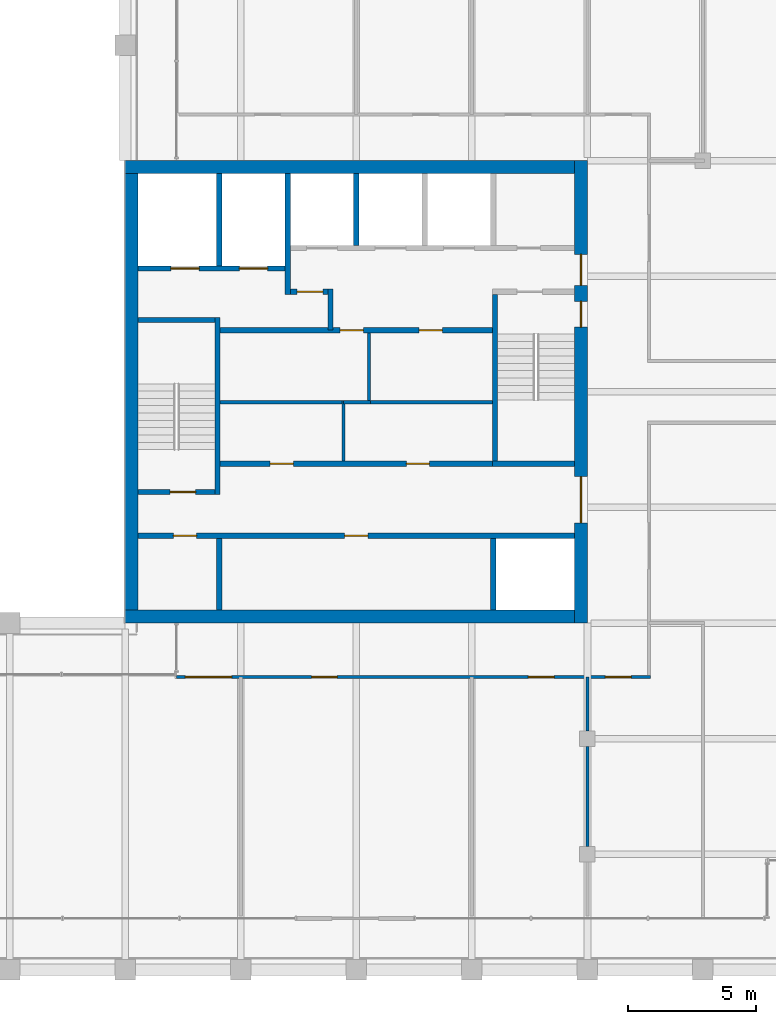
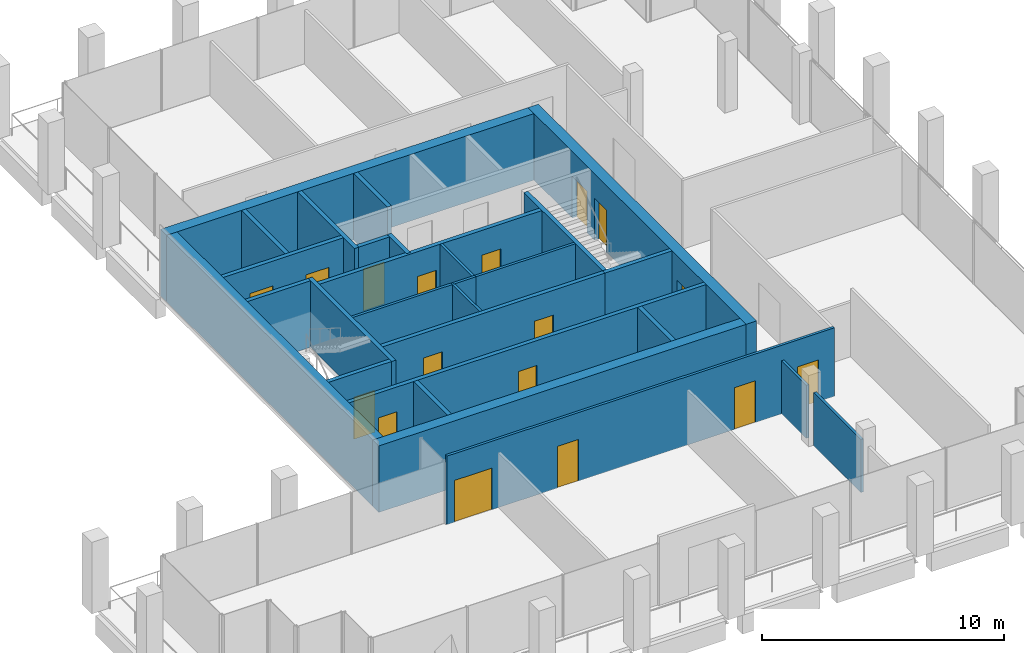
# One storey, part 28 of 30: 28 walls, 17 doors, 17 openings.
"""IFC4 building model written with IfcOpenShell, lengths in metres."""

from ifc_helpers import new_model, si_unit, direction, frame, frame_2d, origin, place, context, subcontext, project, spatial, rectangle, extrude, material, layer, layer_set, type_object, element, fill, save


model = new_model("IFC4")

# Units and contexts
model_context = context("Model", 3, precision=1e-05, world=origin(), true_north=direction((0.0, 1.0)))
body_context = subcontext(model_context, "Body", "Model", "MODEL_VIEW")
ifc_project = project(units=[si_unit("LENGTHUNIT", "METRE"), si_unit("AREAUNIT", "SQUARE_METRE"), si_unit("VOLUMEUNIT", "CUBIC_METRE"), si_unit("PLANEANGLEUNIT", "RADIAN"), si_unit("MASSUNIT", "GRAM", prefix="KILO")], contexts=[model_context])

# Site, building, storey
site_placement = place(None, origin())
site = spatial("IfcSite", under=ifc_project, at=site_placement, CompositionType="ELEMENT")
building_placement = place(site_placement, origin())
building = spatial("IfcBuilding", under=site, at=building_placement, Name="Altepetl Exchange Towers", CompositionType="ELEMENT")
storey_placement = place(building_placement, frame((0.0, 0.0, 217.199951171875)))
storey = spatial("IfcBuildingStorey", under=building, at=storey_placement, Name="L55", CompositionType="ELEMENT", Elevation=217.199951171875)

# Wall, openings, doors
ifc_material_1 = material(Name="Concrete C70/85", Category="concrete")
ifc_layer_1 = layer(ifc_material_1, 0.5)
ifc_layer_set_1 = layer_set([ifc_layer_1], Name="Concrete C70/85")
wall_type_1 = type_object("IfcWallType", Name="Core wall 500 reinforced concrete", PredefinedType="SHEAR", material=ifc_layer_set_1)
wall_1_placement = place(storey_placement, frame((58.25, 40.5, 0.0), z_axis=(0.0, 0.0, 1.0), x_axis=(0.0, 1.0, 0.0)))
wall_1 = element("IfcWall", 1, at=wall_1_placement, inside=storey, type_object=wall_type_1, Name="wall:A:L55:K-coreE", PredefinedType="SHEAR", context=body_context, shape_type="SweptSolid", body=[
    extrude(rectangle(XDim=18.0, YDim=0.5, at=frame_2d((9.0, 0.0))), origin(), (0.0, 0.0, 1.0), 3.35009765625),
])
opening_1_placement = place(wall_1_placement, frame((13.14990234375, 0.0, 0.0)))
opening_1 = element("IfcOpeningElement", 2, at=opening_1_placement, cuts=wall_1, Name="Opening L55.A60", PredefinedType="OPENING", context=body_context, shape_type="SweptSolid", body=[
    extrude(rectangle(XDim=1.199951171875, YDim=2.10009765625, at=frame_2d((0.60009765625, 1.050048828125))), frame((0.0, 0.260009765625, 0.0), z_axis=(0.0, -1.0, 0.0), x_axis=(1.0, 0.0, 0.0)), (0.0, 0.0, 1.0), 0.52001953125),
])
opening_2_placement = place(wall_1_placement, frame((3.89990234375, 0.0, 0.0)))
opening_2 = element("IfcOpeningElement", 3, at=opening_2_placement, cuts=wall_1, Name="Opening L55.A61", PredefinedType="OPENING", context=body_context, shape_type="SweptSolid", body=[
    extrude(rectangle(XDim=1.800048828125, YDim=2.10009765625, at=frame_2d((0.89990234375, 1.050048828125))), frame((0.0, 0.260009765625, 0.0), z_axis=(0.0, -1.0, 0.0), x_axis=(1.0, 0.0, 0.0)), (0.0, 0.0, 1.0), 0.52001953125),
])
opening_3_placement = place(wall_1_placement, frame((11.52490234375, 0.0, 0.0)))
opening_3 = element("IfcOpeningElement", 4, at=opening_3_placement, cuts=wall_1, Name="Opening L55.A64", PredefinedType="OPENING", context=body_context, shape_type="SweptSolid", body=[
    extrude(rectangle(XDim=1.0, YDim=2.10009765625, at=frame_2d((0.5, 1.050048828125))), frame((0.0, 0.260009765625, 0.0), z_axis=(0.0, -1.0, 0.0), x_axis=(1.0, 0.0, 0.0)), (0.0, 0.0, 1.0), 0.52001953125),
])
ifc_material_2 = material(Name="Steel and timber fire door", Category="steel")
door_type_1 = type_object("IfcDoorType", Name="Fire door 1000 x 2100 stair and lobby", OperationType="SINGLE_SWING_LEFT", PredefinedType="DOOR", material=ifc_material_2)
door_1_placement = place(opening_3_placement, origin())
door_1 = element("IfcDoor", 5, at=door_1_placement, inside=storey, type_object=door_type_1, Name="door:A:L55:K-dS2x", OperationType="SINGLE_SWING_RIGHT", OverallHeight=2.10009765625, OverallWidth=1.0, PredefinedType="DOOR", context=body_context, shape_type="SweptSolid", body=[
    extrude(rectangle(XDim=1.0, YDim=2.10009765625, at=frame_2d((0.5, 1.050048828125))), frame((0.0, 0.02490234375, 0.0), z_axis=(0.0, -1.0, 0.0), x_axis=(1.0, 0.0, 0.0)), (0.0, 0.0, 1.0), 0.050048828125),
])
fill(opening_3, door_1)
door_type_2 = type_object("IfcDoorType", Name="Fire door 1200 x 2100 lobby entry", OperationType="SINGLE_SWING_LEFT", PredefinedType="DOOR", material=ifc_material_2)
door_2_placement = place(opening_1_placement, origin())
door_2 = element("IfcDoor", 6, at=door_2_placement, inside=storey, type_object=door_type_2, Name="door:A:L55:K-dLNE", OperationType="SINGLE_SWING_RIGHT", OverallHeight=2.10009765625, OverallWidth=1.199951171875, PredefinedType="DOOR", context=body_context, shape_type="SweptSolid", body=[
    extrude(rectangle(XDim=1.199951171875, YDim=2.10009765625, at=frame_2d((0.60009765625, 1.050048828125))), frame((0.0, 0.02490234375, 0.0), z_axis=(0.0, -1.0, 0.0), x_axis=(1.0, 0.0, 0.0)), (0.0, 0.0, 1.0), 0.050048828125),
])
fill(opening_1, door_2)
door_type_3 = type_object("IfcDoorType", Name="Fire door 1800 x 2100 lobby entry", OperationType="DOUBLE_DOOR_SINGLE_SWING", PredefinedType="DOOR", material=ifc_material_2)
door_3_placement = place(opening_2_placement, origin())
door_3 = element("IfcDoor", 7, at=door_3_placement, inside=storey, type_object=door_type_3, Name="door:A:L55:K-dLSE", OperationType="DOUBLE_DOOR_SINGLE_SWING", OverallHeight=2.10009765625, OverallWidth=1.800048828125, PredefinedType="DOOR", context=body_context, shape_type="SweptSolid", body=[
    extrude(rectangle(XDim=1.800048828125, YDim=2.10009765625, at=frame_2d((0.89990234375, 1.050048828125))), frame((0.0, 0.02490234375, 0.0), z_axis=(0.0, -1.0, 0.0), x_axis=(1.0, 0.0, 0.0)), (0.0, 0.0, 1.0), 0.050048828125),
])
fill(opening_2, door_3)

# Walls
for number, where, name in (
    (8, (40.5, 58.25, 0.0), "wall:A:L55:K-coreN"),
    (9, (40.5, 40.75, 0.0), "wall:A:L55:K-coreS"),
):
    element("IfcWall", number, at=place(storey_placement, frame(where)), inside=storey, type_object=wall_type_1, Name=name, PredefinedType="SHEAR", context=body_context, shape_type="SweptSolid", body=[
        extrude(rectangle(XDim=17.5, YDim=0.5, at=frame_2d((8.75, 0.0))), origin(), (0.0, 0.0, 1.0), 3.35009765625),
    ])
ifc_layer_2 = layer(ifc_material_1, 0.5)
ifc_layer_set_2 = layer_set([ifc_layer_2], Name="Concrete C70/85")
wall_type_2 = type_object("IfcWallType", Name="Core wall 500 reinforced concrete external", PredefinedType="SHEAR", material=ifc_layer_set_2)
wall_2_placement = place(storey_placement, frame((40.75, 41.0, 0.0), z_axis=(0.0, 0.0, 1.0), x_axis=(0.0, 1.0, 0.0)))
element("IfcWall", 10, at=wall_2_placement, inside=storey, type_object=wall_type_2, Name="wall:A:L55:K-coreW", PredefinedType="SHEAR", context=body_context, shape_type="SweptSolid", body=[
    extrude(rectangle(XDim=17.0, YDim=0.5, at=frame_2d((8.5, 0.0))), origin(), (0.0, 0.0, 1.0), 3.35009765625),
])
ifc_material_3 = material(Name="Concrete blockwork", Category="masonry")
ifc_layer_3 = layer(ifc_material_3, 0.199951171875)
ifc_layer_set_3 = layer_set([ifc_layer_3], Name="Concrete blockwork")
wall_type_3 = type_object("IfcWallType", Name="Lobby wall 200 blockwork", PredefinedType="PARTITIONING", material=ifc_layer_set_3)
wall_3_placement = place(storey_placement, frame((48.5, 51.89990234375, 0.0), z_axis=(0.0, 0.0, 1.0), x_axis=(0.0, 1.0, 0.0)))
element("IfcWall", 11, at=wall_3_placement, inside=storey, type_object=wall_type_3, Name="wall:A:L55:K-ffE", PredefinedType="PARTITIONING", context=body_context, shape_type="SweptSolid", body=[
    extrude(rectangle(XDim=1.60009765625, YDim=0.199951171875, at=frame_2d((0.800048828125, 0.0))), origin(), (0.0, 0.0, 1.0), 3.35009765625),
])

# Wall, opening, door
wall_4_placement = place(storey_placement, frame((46.933349609375, 53.39990234375, 0.0)))
wall_4 = element("IfcWall", 12, at=wall_4_placement, inside=storey, type_object=wall_type_3, Name="wall:A:L55:K-ffN", PredefinedType="PARTITIONING", context=body_context, shape_type="SweptSolid", body=[
    extrude(rectangle(XDim=1.466552734375, YDim=0.199951171875, at=frame_2d((0.7333984375, 0.0))), origin(), (0.0, 0.0, 1.0), 3.35009765625),
])
opening_4_placement = place(wall_4_placement, frame((0.2666015625, 0.0, 0.0)))
opening_4 = element("IfcOpeningElement", 13, at=opening_4_placement, cuts=wall_4, Name="Opening L55.A65", PredefinedType="OPENING", context=body_context, shape_type="SweptSolid", body=[
    extrude(rectangle(XDim=1.0, YDim=2.10009765625, at=frame_2d((0.5, 1.050048828125))), frame((0.0, 0.10986328125, 0.0), z_axis=(0.0, -1.0, 0.0), x_axis=(1.0, 0.0, 0.0)), (0.0, 0.0, 1.0), 0.219970703125),
])
door_4_placement = place(opening_4_placement, frame((1.0, 0.0, 0.0), x_axis=(-1.0, 0.0, 0.0)))
door_4 = element("IfcDoor", 14, at=door_4_placement, inside=storey, type_object=door_type_1, Name="door:A:L55:K-dffN", OperationType="SINGLE_SWING_RIGHT", OverallHeight=2.10009765625, OverallWidth=1.0, PredefinedType="DOOR", context=body_context, shape_type="SweptSolid", body=[
    extrude(rectangle(XDim=1.0, YDim=2.10009765625, at=frame_2d((0.5, 1.050048828125))), frame((0.0, 0.02490234375, 0.0), z_axis=(0.0, -1.0, 0.0), x_axis=(1.0, 0.0, 0.0)), (0.0, 0.0, 1.0), 0.050048828125),
])
fill(opening_4, door_4)

# Wall, openings, doors
wall_5_placement = place(storey_placement, frame((44.199951171875, 51.89990234375, 0.0)))
wall_5 = element("IfcWall", 15, at=wall_5_placement, inside=storey, type_object=wall_type_3, Name="wall:A:L55:K-zoneN", PredefinedType="PARTITIONING", context=body_context, shape_type="SweptSolid", body=[
    extrude(rectangle(XDim=10.60009765625, YDim=0.199951171875, at=frame_2d((5.300048828125, 0.0))), origin(), (0.0, 0.0, 1.0), 3.35009765625),
])
opening_5_placement = place(wall_5_placement, frame((4.675048828125, 0.0, 0.0)))
opening_5 = element("IfcOpeningElement", 16, at=opening_5_placement, cuts=wall_5, Name="Opening L55.A71", PredefinedType="OPENING", context=body_context, shape_type="SweptSolid", body=[
    extrude(rectangle(XDim=0.89990234375, YDim=2.10009765625, at=frame_2d((0.449951171875, 1.050048828125))), frame((0.0, 0.10986328125, 0.0), z_axis=(0.0, -1.0, 0.0), x_axis=(1.0, 0.0, 0.0)), (0.0, 0.0, 1.0), 0.219970703125),
])
opening_6_placement = place(wall_5_placement, frame((7.75, 0.0, 0.0)))
opening_6 = element("IfcOpeningElement", 17, at=opening_6_placement, cuts=wall_5, Name="Opening L55.A72", PredefinedType="OPENING", context=body_context, shape_type="SweptSolid", body=[
    extrude(rectangle(XDim=0.89990234375, YDim=2.10009765625, at=frame_2d((0.449951171875, 1.050048828125))), frame((0.0, 0.10986328125, 0.0), z_axis=(0.0, -1.0, 0.0), x_axis=(1.0, 0.0, 0.0)), (0.0, 0.0, 1.0), 0.219970703125),
])
door_type_4 = type_object("IfcDoorType", Name="Fire door 900 x 2100 service room", OperationType="SINGLE_SWING_LEFT", PredefinedType="DOOR", material=ifc_material_2)
door_5_placement = place(opening_5_placement, frame((0.89990234375, 0.0, 0.0), x_axis=(-1.0, 0.0, 0.0)))
door_5 = element("IfcDoor", 18, at=door_5_placement, inside=storey, type_object=door_type_4, Name="door:A:L55:K-dz3", OperationType="SINGLE_SWING_LEFT", OverallHeight=2.10009765625, OverallWidth=0.89990234375, PredefinedType="DOOR", context=body_context, shape_type="SweptSolid", body=[
    extrude(rectangle(XDim=0.89990234375, YDim=2.10009765625, at=frame_2d((0.449951171875, 1.050048828125))), frame((0.0, 0.02490234375, 0.0), z_axis=(0.0, -1.0, 0.0), x_axis=(1.0, 0.0, 0.0)), (0.0, 0.0, 1.0), 0.050048828125),
])
fill(opening_5, door_5)
door_6_placement = place(opening_6_placement, frame((0.89990234375, 0.0, 0.0), x_axis=(-1.0, 0.0, 0.0)))
door_6 = element("IfcDoor", 19, at=door_6_placement, inside=storey, type_object=door_type_4, Name="door:A:L55:K-dz4", OperationType="SINGLE_SWING_LEFT", OverallHeight=2.10009765625, OverallWidth=0.89990234375, PredefinedType="DOOR", context=body_context, shape_type="SweptSolid", body=[
    extrude(rectangle(XDim=0.89990234375, YDim=2.10009765625, at=frame_2d((0.449951171875, 1.050048828125))), frame((0.0, 0.02490234375, 0.0), z_axis=(0.0, -1.0, 0.0), x_axis=(1.0, 0.0, 0.0)), (0.0, 0.0, 1.0), 0.050048828125),
])
fill(opening_6, door_6)

wall_6_placement = place(storey_placement, frame((44.199951171875, 46.699951171875, 0.0)))
wall_6 = element("IfcWall", 20, at=wall_6_placement, inside=storey, type_object=wall_type_3, Name="wall:A:L55:K-zoneS", PredefinedType="PARTITIONING", context=body_context, shape_type="SweptSolid", body=[
    extrude(rectangle(XDim=10.60009765625, YDim=0.199951171875, at=frame_2d((5.300048828125, 0.0))), origin(), (0.0, 0.0, 1.0), 3.35009765625),
])
opening_7_placement = place(wall_6_placement, frame((1.949951171875, 0.0, 0.0)))
opening_7 = element("IfcOpeningElement", 21, at=opening_7_placement, cuts=wall_6, Name="Opening L55.A69", PredefinedType="OPENING", context=body_context, shape_type="SweptSolid", body=[
    extrude(rectangle(XDim=0.89990234375, YDim=2.10009765625, at=frame_2d((0.449951171875, 1.050048828125))), frame((0.0, 0.10986328125, 0.0), z_axis=(0.0, -1.0, 0.0), x_axis=(1.0, 0.0, 0.0)), (0.0, 0.0, 1.0), 0.219970703125),
])
opening_8_placement = place(wall_6_placement, frame((7.25, 0.0, 0.0)))
opening_8 = element("IfcOpeningElement", 22, at=opening_8_placement, cuts=wall_6, Name="Opening L55.A70", PredefinedType="OPENING", context=body_context, shape_type="SweptSolid", body=[
    extrude(rectangle(XDim=0.89990234375, YDim=2.10009765625, at=frame_2d((0.449951171875, 1.050048828125))), frame((0.0, 0.10986328125, 0.0), z_axis=(0.0, -1.0, 0.0), x_axis=(1.0, 0.0, 0.0)), (0.0, 0.0, 1.0), 0.219970703125),
])
door_7_placement = place(opening_7_placement, origin())
door_7 = element("IfcDoor", 23, at=door_7_placement, inside=storey, type_object=door_type_4, Name="door:A:L55:K-dz1", OperationType="SINGLE_SWING_LEFT", OverallHeight=2.10009765625, OverallWidth=0.89990234375, PredefinedType="DOOR", context=body_context, shape_type="SweptSolid", body=[
    extrude(rectangle(XDim=0.89990234375, YDim=2.10009765625, at=frame_2d((0.449951171875, 1.050048828125))), frame((0.0, 0.02490234375, 0.0), z_axis=(0.0, -1.0, 0.0), x_axis=(1.0, 0.0, 0.0)), (0.0, 0.0, 1.0), 0.050048828125),
])
fill(opening_7, door_7)
door_8_placement = place(opening_8_placement, origin())
door_8 = element("IfcDoor", 24, at=door_8_placement, inside=storey, type_object=door_type_4, Name="door:A:L55:K-dz2", OperationType="SINGLE_SWING_LEFT", OverallHeight=2.10009765625, OverallWidth=0.89990234375, PredefinedType="DOOR", context=body_context, shape_type="SweptSolid", body=[
    extrude(rectangle(XDim=0.89990234375, YDim=2.10009765625, at=frame_2d((0.449951171875, 1.050048828125))), frame((0.0, 0.02490234375, 0.0), z_axis=(0.0, -1.0, 0.0), x_axis=(1.0, 0.0, 0.0)), (0.0, 0.0, 1.0), 0.050048828125),
])
fill(opening_8, door_8)

# Walls
ifc_material_4 = material(Name="Gypsum board on steel studs", Category="steel")
ifc_layer_4 = layer(ifc_material_4, 0.125)
ifc_layer_set_4 = layer_set([ifc_layer_4], Name="Gypsum board on steel studs")
wall_type_4 = type_object("IfcWallType", Name="Partition 125 gypsum board on steel studs", PredefinedType="PARTITIONING", material=ifc_layer_set_4)
wall_7_placement = place(storey_placement, frame((49.0, 46.800048828125, 0.0), z_axis=(0.0, 0.0, 1.0), x_axis=(0.0, 1.0, 0.0)))
element("IfcWall", 25, at=wall_7_placement, inside=storey, type_object=wall_type_4, Name="wall:A:L55:K-zp1", PredefinedType="PARTITIONING", context=body_context, shape_type="SweptSolid", body=[
    extrude(rectangle(XDim=2.362548828125, YDim=0.125, at=frame_2d((1.18115234375, 0.0))), origin(), (0.0, 0.0, 1.0), 3.35009765625),
])
wall_8_placement = place(storey_placement, frame((48.9375, 49.10009765625, 0.0), z_axis=(0.0, 0.0, 1.0), x_axis=(-1.0, 0.0, 0.0)))
element("IfcWall", 26, at=wall_8_placement, inside=storey, type_object=wall_type_4, Name="wall:A:L55:K-zp2", PredefinedType="PARTITIONING", context=body_context, shape_type="SweptSolid", body=[
    extrude(rectangle(XDim=4.737548828125, YDim=0.125, at=frame_2d((2.36865234375, 0.0))), origin(), (0.0, 0.0, 1.0), 3.35009765625),
])
wall_9_placement = place(storey_placement, frame((50.0625, 49.10009765625, 0.0), z_axis=(0.0, 0.0, 1.0), x_axis=(-1.0, 0.0, 0.0)))
element("IfcWall", 27, at=wall_9_placement, inside=storey, type_object=wall_type_4, Name="wall:A:L55:K-zp3", PredefinedType="PARTITIONING", context=body_context, shape_type="SweptSolid", body=[
    extrude(rectangle(XDim=1.0625, YDim=0.125, at=frame_2d((0.53125, 0.0))), origin(), (0.0, 0.0, 1.0), 3.35009765625),
])
wall_10_placement = place(storey_placement, frame((54.800048828125, 49.10009765625, 0.0), z_axis=(0.0, 0.0, 1.0), x_axis=(-1.0, 0.0, 0.0)))
element("IfcWall", 28, at=wall_10_placement, inside=storey, type_object=wall_type_4, Name="wall:A:L55:K-zp4", PredefinedType="PARTITIONING", context=body_context, shape_type="SweptSolid", body=[
    extrude(rectangle(XDim=4.800048828125, YDim=0.125, at=frame_2d((2.39990234375, 0.0))), origin(), (0.0, 0.0, 1.0), 3.35009765625),
])
wall_11_placement = place(storey_placement, frame((50.0, 49.16259765625, 0.0), z_axis=(0.0, 0.0, 1.0), x_axis=(0.0, 1.0, 0.0)))
element("IfcWall", 29, at=wall_11_placement, inside=storey, type_object=wall_type_4, Name="wall:A:L55:K-zp5", PredefinedType="PARTITIONING", context=body_context, shape_type="SweptSolid", body=[
    extrude(rectangle(XDim=2.637451171875, YDim=0.125, at=frame_2d((1.31884765625, 0.0))), origin(), (0.0, 0.0, 1.0), 3.35009765625),
])

# Wall, openings, doors
wall_12_placement = place(storey_placement, frame((42.5, 38.39990234375, 0.0)))
wall_12 = element("IfcWall", 30, at=wall_12_placement, inside=storey, type_object=wall_type_4, Name="wall:A:L55:P01", PredefinedType="PARTITIONING", context=body_context, shape_type="SweptSolid", body=[
    extrude(rectangle(XDim=18.46240234375, YDim=0.125, at=frame_2d((9.231201171875, 0.0))), origin(), (0.0, 0.0, 1.0), 3.449951171875),
])
opening_9_placement = place(wall_12_placement, frame((0.35009765625, 0.0, 0.0)))
opening_9 = element("IfcOpeningElement", 31, at=opening_9_placement, cuts=wall_12, Name="Opening L55.A01", PredefinedType="OPENING", context=body_context, shape_type="SweptSolid", body=[
    extrude(rectangle(XDim=1.800048828125, YDim=2.10009765625, at=frame_2d((0.89990234375, 1.050048828125))), frame((0.0, 0.072509765625, 0.0), z_axis=(0.0, -1.0, 0.0), x_axis=(1.0, 0.0, 0.0)), (0.0, 0.0, 1.0), 0.14501953125),
])
opening_10_placement = place(wall_12_placement, frame((5.258056640625, 0.0, 0.0)))
opening_10 = element("IfcOpeningElement", 32, at=opening_10_placement, cuts=wall_12, Name="Opening L55.A02", PredefinedType="OPENING", context=body_context, shape_type="SweptSolid", body=[
    extrude(rectangle(XDim=1.0, YDim=2.10009765625, at=frame_2d((0.5, 1.050048828125))), frame((0.0, 0.072509765625, 0.0), z_axis=(0.0, -1.0, 0.0), x_axis=(1.0, 0.0, 0.0)), (0.0, 0.0, 1.0), 0.14501953125),
])
opening_11_placement = place(wall_12_placement, frame((13.705078125, 0.0, 0.0)))
opening_11 = element("IfcOpeningElement", 33, at=opening_11_placement, cuts=wall_12, Name="Opening L55.A03", PredefinedType="OPENING", context=body_context, shape_type="SweptSolid", body=[
    extrude(rectangle(XDim=1.0, YDim=2.10009765625, at=frame_2d((0.5, 1.050048828125))), frame((0.0, 0.072509765625, 0.0), z_axis=(0.0, -1.0, 0.0), x_axis=(1.0, 0.0, 0.0)), (0.0, 0.0, 1.0), 0.14501953125),
])
opening_12_placement = place(wall_12_placement, frame((16.699951171875, 0.0, 0.0)))
opening_12 = element("IfcOpeningElement", 34, at=opening_12_placement, cuts=wall_12, Name="Opening L55.A04", PredefinedType="OPENING", context=body_context, shape_type="SweptSolid", body=[
    extrude(rectangle(XDim=1.0, YDim=2.10009765625, at=frame_2d((0.5, 1.050048828125))), frame((0.0, 0.072509765625, 0.0), z_axis=(0.0, -1.0, 0.0), x_axis=(1.0, 0.0, 0.0)), (0.0, 0.0, 1.0), 0.14501953125),
])
door_type_5 = type_object("IfcDoorType", Name="Fire door 1000 x 2100 single leaf", OperationType="SINGLE_SWING_LEFT", PredefinedType="DOOR", material=ifc_material_2)
door_9_placement = place(opening_10_placement, frame((1.0, 0.0, 0.0), x_axis=(-1.0, 0.0, 0.0)))
door_9 = element("IfcDoor", 35, at=door_9_placement, inside=storey, type_object=door_type_5, Name="door:A:L55:02", OperationType="SINGLE_SWING_RIGHT", OverallHeight=2.10009765625, OverallWidth=1.0, PredefinedType="DOOR", context=body_context, shape_type="SweptSolid", body=[
    extrude(rectangle(XDim=1.0, YDim=2.10009765625, at=frame_2d((0.5, 1.050048828125))), frame((0.0, 0.02490234375, 0.0), z_axis=(0.0, -1.0, 0.0), x_axis=(1.0, 0.0, 0.0)), (0.0, 0.0, 1.0), 0.050048828125),
])
fill(opening_10, door_9)
door_10_placement = place(opening_11_placement, frame((1.0, 0.0, 0.0), x_axis=(-1.0, 0.0, 0.0)))
door_10 = element("IfcDoor", 36, at=door_10_placement, inside=storey, type_object=door_type_5, Name="door:A:L55:03", OperationType="SINGLE_SWING_LEFT", OverallHeight=2.10009765625, OverallWidth=1.0, PredefinedType="DOOR", context=body_context, shape_type="SweptSolid", body=[
    extrude(rectangle(XDim=1.0, YDim=2.10009765625, at=frame_2d((0.5, 1.050048828125))), frame((0.0, 0.02490234375, 0.0), z_axis=(0.0, -1.0, 0.0), x_axis=(1.0, 0.0, 0.0)), (0.0, 0.0, 1.0), 0.050048828125),
])
fill(opening_11, door_10)
door_11_placement = place(opening_12_placement, frame((1.0, 0.0, 0.0), x_axis=(-1.0, 0.0, 0.0)))
door_11 = element("IfcDoor", 37, at=door_11_placement, inside=storey, type_object=door_type_5, Name="door:A:L55:04", OperationType="SINGLE_SWING_LEFT", OverallHeight=2.10009765625, OverallWidth=1.0, PredefinedType="DOOR", context=body_context, shape_type="SweptSolid", body=[
    extrude(rectangle(XDim=1.0, YDim=2.10009765625, at=frame_2d((0.5, 1.050048828125))), frame((0.0, 0.02490234375, 0.0), z_axis=(0.0, -1.0, 0.0), x_axis=(1.0, 0.0, 0.0)), (0.0, 0.0, 1.0), 0.050048828125),
])
fill(opening_12, door_11)
door_type_6 = type_object("IfcDoorType", Name="Fire door 1800 x 2100 double leaf", OperationType="DOUBLE_DOOR_SINGLE_SWING", PredefinedType="DOOR", material=ifc_material_2)
door_12_placement = place(opening_9_placement, frame((1.800048828125, 0.0, 0.0), x_axis=(-1.0, 0.0, 0.0)))
door_12 = element("IfcDoor", 38, at=door_12_placement, inside=storey, type_object=door_type_6, Name="door:A:L55:01", OperationType="DOUBLE_DOOR_SINGLE_SWING", OverallHeight=2.10009765625, OverallWidth=1.800048828125, PredefinedType="DOOR", context=body_context, shape_type="SweptSolid", body=[
    extrude(rectangle(XDim=1.800048828125, YDim=2.10009765625, at=frame_2d((0.89990234375, 1.050048828125))), frame((0.0, 0.02490234375, 0.0), z_axis=(0.0, -1.0, 0.0), x_axis=(1.0, 0.0, 0.0)), (0.0, 0.0, 1.0), 0.050048828125),
])
fill(opening_9, door_12)

# Walls
wall_13_placement = place(storey_placement, frame((58.5, 31.800048828125, 0.0), z_axis=(0.0, 0.0, 1.0), x_axis=(0.0, 1.0, 0.0)))
element("IfcWall", 39, at=wall_13_placement, inside=storey, type_object=wall_type_4, Name="wall:A:L55:P12", PredefinedType="PARTITIONING", context=body_context, shape_type="SweptSolid", body=[
    extrude(rectangle(XDim=3.89990234375, YDim=0.125, at=frame_2d((1.949951171875, 0.0))), origin(), (0.0, 0.0, 1.0), 2.676025390625),
])
wall_14_placement = place(storey_placement, frame((58.5, 36.300048828125, 0.0), z_axis=(0.0, 0.0, 1.0), x_axis=(0.0, 1.0, 0.0)))
element("IfcWall", 40, at=wall_14_placement, inside=storey, type_object=wall_type_4, Name="wall:A:L55:P13", PredefinedType="PARTITIONING", context=body_context, shape_type="SweptSolid", body=[
    extrude(rectangle(XDim=2.099853515625, YDim=0.125, at=frame_2d((1.0498046875, 0.0))), origin(), (0.0, 0.0, 1.0), 2.676025390625),
])
ifc_material_5 = material(Name="Concrete C40/50", Category="concrete")
ifc_layer_5 = layer(ifc_material_5, 0.199951171875)
ifc_layer_set_5 = layer_set([ifc_layer_5], Name="Concrete C40/50")
wall_type_5 = type_object("IfcWallType", Name="Shaft wall 200 reinforced concrete", PredefinedType="SHEAR", material=ifc_layer_set_5)
wall_15_placement = place(storey_placement, frame((44.166748046875, 58.0, 0.0), z_axis=(0.0, 0.0, 1.0), x_axis=(0.0, -1.0, 0.0)))
element("IfcWall", 41, at=wall_15_placement, inside=storey, type_object=wall_type_5, Name="wall:A:L55:K-divN1", PredefinedType="SHEAR", context=body_context, shape_type="SweptSolid", body=[
    extrude(rectangle(XDim=3.60009765625, YDim=0.199951171875, at=frame_2d((1.800048828125, 0.0))), origin(), (0.0, 0.0, 1.0), 3.35009765625),
])
wall_16_placement = place(storey_placement, frame((46.833251953125, 58.0, 0.0), z_axis=(0.0, 0.0, 1.0), x_axis=(0.0, -1.0, 0.0)))
element("IfcWall", 42, at=wall_16_placement, inside=storey, type_object=wall_type_5, Name="wall:A:L55:K-divN2", PredefinedType="SHEAR", context=body_context, shape_type="SweptSolid", body=[
    extrude(rectangle(XDim=4.699951171875, YDim=0.199951171875, at=frame_2d((2.35009765625, 0.0))), origin(), (0.0, 0.0, 1.0), 3.35009765625),
])
for number, where, z_axis, x_axis, name in (
    (43, (49.5, 58.0, 0.0), (0.0, 0.0, 1.0), (0.0, -1.0, 0.0), "wall:A:L55:K-divN3"),
    (44, (54.833251953125, 41.0, 0.0), (0.0, 0.0, 1.0), (0.0, 1.0, 0.0), "wall:A:L55:K-divS5"),
):
    element("IfcWall", number, at=place(storey_placement, frame(where, z_axis=z_axis, x_axis=x_axis)), inside=storey, type_object=wall_type_5, Name=name, PredefinedType="SHEAR", context=body_context, shape_type="SweptSolid", body=[
        extrude(rectangle(XDim=2.800048828125, YDim=0.199951171875, at=frame_2d((1.39990234375, 0.0))), origin(), (0.0, 0.0, 1.0), 3.35009765625),
    ])

# Wall, openings, doors
wall_17_placement = place(storey_placement, frame((41.0, 54.300048828125, 0.0)))
wall_17 = element("IfcWall", 45, at=wall_17_placement, inside=storey, type_object=wall_type_5, Name="wall:A:L55:K-frontNd", PredefinedType="SHEAR", context=body_context, shape_type="SweptSolid", body=[
    extrude(rectangle(XDim=5.7333984375, YDim=0.199951171875, at=frame_2d((2.86669921875, 0.0))), origin(), (0.0, 0.0, 1.0), 3.35009765625),
])
opening_13_placement = place(wall_17_placement, frame((1.283203125, 0.0, 0.0)))
opening_13 = element("IfcOpeningElement", 46, at=opening_13_placement, cuts=wall_17, Name="Opening L55.A73", PredefinedType="OPENING", context=body_context, shape_type="SweptSolid", body=[
    extrude(rectangle(XDim=1.10009765625, YDim=2.10009765625, at=frame_2d((0.550048828125, 1.050048828125))), frame((0.0, 0.10986328125, 0.0), z_axis=(0.0, -1.0, 0.0), x_axis=(1.0, 0.0, 0.0)), (0.0, 0.0, 1.0), 0.219970703125),
])
opening_14_placement = place(wall_17_placement, frame((3.949951171875, 0.0, 0.0)))
opening_14 = element("IfcOpeningElement", 47, at=opening_14_placement, cuts=wall_17, Name="Opening L55.A74", PredefinedType="OPENING", context=body_context, shape_type="SweptSolid", body=[
    extrude(rectangle(XDim=1.10009765625, YDim=2.10009765625, at=frame_2d((0.550048828125, 1.050048828125))), frame((0.0, 0.10986328125, 0.0), z_axis=(0.0, -1.0, 0.0), x_axis=(1.0, 0.0, 0.0)), (0.0, 0.0, 1.0), 0.219970703125),
])
ifc_material_6 = material(Name="Stainless steel", Category="steel")
door_type_7 = type_object("IfcDoorType", Name="Lift landing door 1100 x 2100", OperationType="SLIDING_TO_LEFT", PredefinedType="DOOR", material=ifc_material_6)
door_13_placement = place(opening_13_placement, origin())
door_13 = element("IfcDoor", 48, at=door_13_placement, inside=storey, type_object=door_type_7, Name="Landing door FFL1", OperationType="SLIDING_TO_LEFT", OverallHeight=2.10009765625, OverallWidth=1.10009765625, PredefinedType="DOOR", context=body_context, shape_type="SweptSolid", body=[
    extrude(rectangle(XDim=1.10009765625, YDim=2.10009765625, at=frame_2d((0.550048828125, 1.050048828125))), frame((0.0, 0.02490234375, 0.0), z_axis=(0.0, -1.0, 0.0), x_axis=(1.0, 0.0, 0.0)), (0.0, 0.0, 1.0), 0.050048828125),
])
fill(opening_13, door_13)
door_14_placement = place(opening_14_placement, origin())
door_14 = element("IfcDoor", 49, at=door_14_placement, inside=storey, type_object=door_type_7, Name="Landing door FFL2", OperationType="SLIDING_TO_LEFT", OverallHeight=2.10009765625, OverallWidth=1.10009765625, PredefinedType="DOOR", context=body_context, shape_type="SweptSolid", body=[
    extrude(rectangle(XDim=1.10009765625, YDim=2.10009765625, at=frame_2d((0.550048828125, 1.050048828125))), frame((0.0, 0.02490234375, 0.0), z_axis=(0.0, -1.0, 0.0), x_axis=(1.0, 0.0, 0.0)), (0.0, 0.0, 1.0), 0.050048828125),
])
fill(opening_14, door_14)

wall_18_placement = place(storey_placement, frame((41.0, 43.89990234375, 0.0)))
wall_18 = element("IfcWall", 50, at=wall_18_placement, inside=storey, type_object=wall_type_5, Name="wall:A:L55:K-frontS", PredefinedType="SHEAR", context=body_context, shape_type="SweptSolid", body=[
    extrude(rectangle(XDim=17.0, YDim=0.199951171875, at=frame_2d((8.5, 0.0))), origin(), (0.0, 0.0, 1.0), 3.35009765625),
])
opening_15_placement = place(wall_18_placement, frame((1.38330078125, 0.0, 0.0)))
opening_15 = element("IfcOpeningElement", 51, at=opening_15_placement, cuts=wall_18, Name="Opening L55.A67", PredefinedType="OPENING", context=body_context, shape_type="SweptSolid", body=[
    extrude(rectangle(XDim=0.89990234375, YDim=2.10009765625, at=frame_2d((0.449951171875, 1.050048828125))), frame((0.0, 0.10986328125, 0.0), z_axis=(0.0, -1.0, 0.0), x_axis=(1.0, 0.0, 0.0)), (0.0, 0.0, 1.0), 0.219970703125),
])
opening_16_placement = place(wall_18_placement, frame((8.050048828125, 0.0, 0.0)))
opening_16 = element("IfcOpeningElement", 52, at=opening_16_placement, cuts=wall_18, Name="Opening L55.A68", PredefinedType="OPENING", context=body_context, shape_type="SweptSolid", body=[
    extrude(rectangle(XDim=0.89990234375, YDim=2.10009765625, at=frame_2d((0.449951171875, 1.050048828125))), frame((0.0, 0.10986328125, 0.0), z_axis=(0.0, -1.0, 0.0), x_axis=(1.0, 0.0, 0.0)), (0.0, 0.0, 1.0), 0.219970703125),
])
door_15_placement = place(opening_15_placement, frame((0.89990234375, 0.0, 0.0), x_axis=(-1.0, 0.0, 0.0)))
door_15 = element("IfcDoor", 53, at=door_15_placement, inside=storey, type_object=door_type_4, Name="door:A:L55:K-dslotS0", OperationType="SINGLE_SWING_LEFT", OverallHeight=2.10009765625, OverallWidth=0.89990234375, PredefinedType="DOOR", context=body_context, shape_type="SweptSolid", body=[
    extrude(rectangle(XDim=0.89990234375, YDim=2.10009765625, at=frame_2d((0.449951171875, 1.050048828125))), frame((0.0, 0.02490234375, 0.0), z_axis=(0.0, -1.0, 0.0), x_axis=(1.0, 0.0, 0.0)), (0.0, 0.0, 1.0), 0.050048828125),
])
fill(opening_15, door_15)
door_16_placement = place(opening_16_placement, frame((0.89990234375, 0.0, 0.0), x_axis=(-1.0, 0.0, 0.0)))
door_16 = element("IfcDoor", 54, at=door_16_placement, inside=storey, type_object=door_type_4, Name="door:A:L55:K-dslotS1", OperationType="SINGLE_SWING_LEFT", OverallHeight=2.10009765625, OverallWidth=0.89990234375, PredefinedType="DOOR", context=body_context, shape_type="SweptSolid", body=[
    extrude(rectangle(XDim=0.89990234375, YDim=2.10009765625, at=frame_2d((0.449951171875, 1.050048828125))), frame((0.0, 0.02490234375, 0.0), z_axis=(0.0, -1.0, 0.0), x_axis=(1.0, 0.0, 0.0)), (0.0, 0.0, 1.0), 0.050048828125),
])
fill(opening_16, door_16)

# Walls
ifc_layer_6 = layer(ifc_material_1, 0.199951171875)
ifc_layer_set_6 = layer_set([ifc_layer_6], Name="Concrete C70/85")
wall_type_6 = type_object("IfcWallType", Name="Shear wall 200 reinforced concrete", PredefinedType="SHEAR", material=ifc_layer_set_6)
wall_19_placement = place(storey_placement, frame((44.166748046875, 41.0, 0.0), z_axis=(0.0, 0.0, 1.0), x_axis=(0.0, 1.0, 0.0)))
element("IfcWall", 55, at=wall_19_placement, inside=storey, type_object=wall_type_6, Name="wall:A:L55:K-divS1", PredefinedType="SHEAR", context=body_context, shape_type="SweptSolid", body=[
    extrude(rectangle(XDim=2.800048828125, YDim=0.199951171875, at=frame_2d((1.39990234375, 0.0))), origin(), (0.0, 0.0, 1.0), 3.35009765625),
])
ifc_layer_7 = layer(ifc_material_5, 0.199951171875)
ifc_layer_set_7 = layer_set([ifc_layer_7], Name="Concrete C40/50")
wall_type_7 = type_object("IfcWallType", Name="Stair wall 200 reinforced concrete", PredefinedType="SHEAR", material=ifc_layer_set_7)
wall_20_placement = place(storey_placement, frame((44.10009765625, 45.5, 0.0), z_axis=(0.0, 0.0, 1.0), x_axis=(0.0, 1.0, 0.0)))
element("IfcWall", 56, at=wall_20_placement, inside=storey, type_object=wall_type_7, Name="wall:A:L55:K-stS1E", PredefinedType="SHEAR", context=body_context, shape_type="SweptSolid", body=[
    extrude(rectangle(XDim=6.89990234375, YDim=0.199951171875, at=frame_2d((3.449951171875, 0.0))), origin(), (0.0, 0.0, 1.0), 3.35009765625),
])
wall_21_placement = place(storey_placement, frame((41.0, 52.300048828125, 0.0)))
element("IfcWall", 57, at=wall_21_placement, inside=storey, type_object=wall_type_7, Name="wall:A:L55:K-stS1N", PredefinedType="SHEAR", context=body_context, shape_type="SweptSolid", body=[
    extrude(rectangle(XDim=3.0, YDim=0.199951171875, at=frame_2d((1.5, 0.0))), origin(), (0.0, 0.0, 1.0), 3.35009765625),
])

# Wall, opening, door
wall_22_placement = place(storey_placement, frame((41.0, 45.60009765625, 0.0)))
wall_22 = element("IfcWall", 58, at=wall_22_placement, inside=storey, type_object=wall_type_7, Name="wall:A:L55:K-stS1S", PredefinedType="SHEAR", context=body_context, shape_type="SweptSolid", body=[
    extrude(rectangle(XDim=3.0, YDim=0.199951171875, at=frame_2d((1.5, 0.0))), origin(), (0.0, 0.0, 1.0), 3.35009765625),
])
opening_17_placement = place(wall_22_placement, frame((1.25, 0.0, 0.0)))
opening_17 = element("IfcOpeningElement", 59, at=opening_17_placement, cuts=wall_22, Name="Opening L55.A62", PredefinedType="OPENING", context=body_context, shape_type="SweptSolid", body=[
    extrude(rectangle(XDim=1.0, YDim=2.10009765625, at=frame_2d((0.5, 1.050048828125))), frame((0.0, 0.10986328125, 0.0), z_axis=(0.0, -1.0, 0.0), x_axis=(1.0, 0.0, 0.0)), (0.0, 0.0, 1.0), 0.219970703125),
])
door_17_placement = place(opening_17_placement, origin())
door_17 = element("IfcDoor", 60, at=door_17_placement, inside=storey, type_object=door_type_1, Name="door:A:L55:K-dS1in", OperationType="SINGLE_SWING_RIGHT", OverallHeight=2.10009765625, OverallWidth=1.0, PredefinedType="DOOR", context=body_context, shape_type="SweptSolid", body=[
    extrude(rectangle(XDim=1.0, YDim=2.10009765625, at=frame_2d((0.5, 1.050048828125))), frame((0.0, 0.02490234375, 0.0), z_axis=(0.0, -1.0, 0.0), x_axis=(1.0, 0.0, 0.0)), (0.0, 0.0, 1.0), 0.050048828125),
])
fill(opening_17, door_17)

# Walls
wall_23_placement = place(storey_placement, frame((54.800048828125, 46.699951171875, 0.0)))
element("IfcWall", 61, at=wall_23_placement, inside=storey, type_object=wall_type_7, Name="wall:A:L55:K-stS2S", PredefinedType="SHEAR", context=body_context, shape_type="SweptSolid", body=[
    extrude(rectangle(XDim=3.199951171875, YDim=0.199951171875, at=frame_2d((1.60009765625, 0.0))), origin(), (0.0, 0.0, 1.0), 3.35009765625),
])
wall_24_placement = place(storey_placement, frame((54.89990234375, 46.800048828125, 0.0), z_axis=(0.0, 0.0, 1.0), x_axis=(0.0, 1.0, 0.0)))
element("IfcWall", 62, at=wall_24_placement, inside=storey, type_object=wall_type_7, Name="wall:A:L55:K-stS2W", PredefinedType="SHEAR", context=body_context, shape_type="SweptSolid", body=[
    extrude(rectangle(XDim=6.5, YDim=0.199951171875, at=frame_2d((3.25, 0.0))), origin(), (0.0, 0.0, 1.0), 3.35009765625),
])

save(model, "model.ifc")
